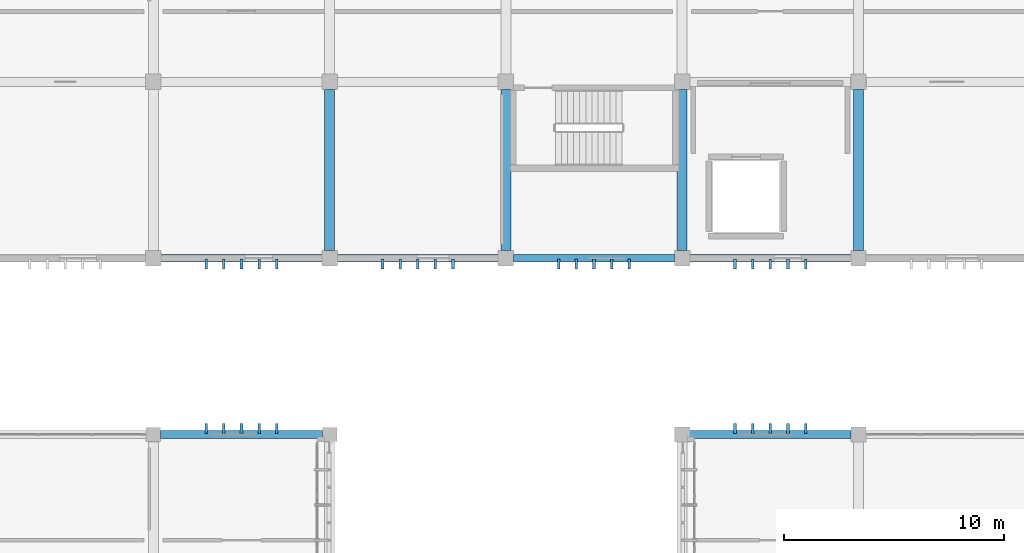
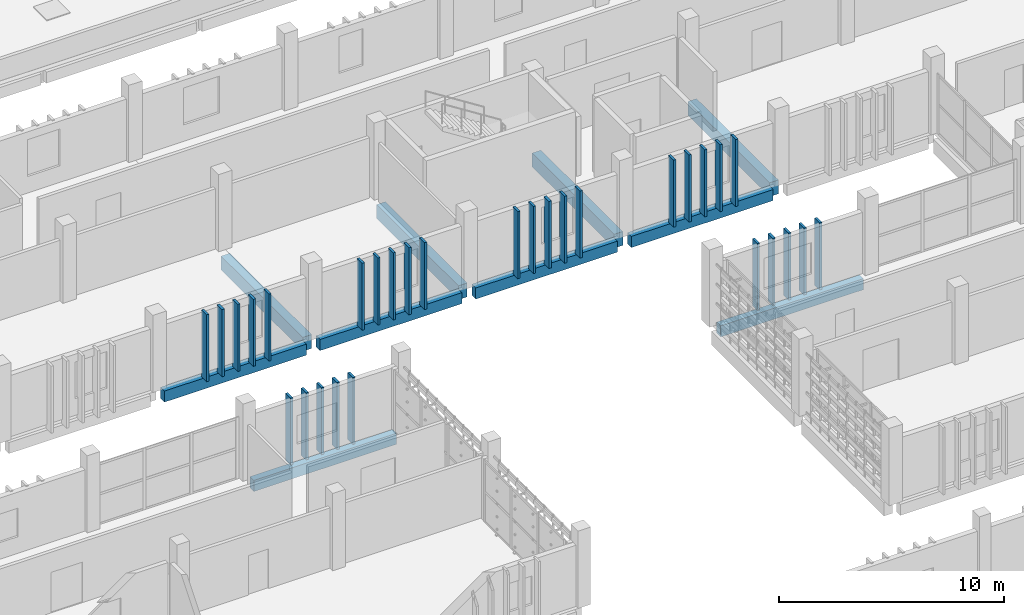
# One storey, part 33 of 137: 30 members, 10 beams.
"""IFC4 building model written with IfcOpenShell, lengths in metres."""

from ifc_helpers import new_model, si_unit, direction, frame, origin, origin_2d, place, context, subcontext, project, spatial, rectangle, extrude, material, material_profile, profile_set, type_object, element, save


model = new_model("IFC4")

# Units and contexts
model_context = context("Model", 3, precision=1e-05, world=origin(), true_north=direction((0.0, 1.0)))
body_context = subcontext(model_context, "Body", "Model", "MODEL_VIEW")
ifc_project = project(units=[si_unit("LENGTHUNIT", "METRE"), si_unit("AREAUNIT", "SQUARE_METRE"), si_unit("VOLUMEUNIT", "CUBIC_METRE"), si_unit("PLANEANGLEUNIT", "RADIAN"), si_unit("MASSUNIT", "GRAM", prefix="KILO")], contexts=[model_context])

# Site, building, storey
site_placement = place(None, origin())
site = spatial("IfcSite", under=ifc_project, at=site_placement, CompositionType="ELEMENT")
building_placement = place(site_placement, origin())
building = spatial("IfcBuilding", under=site, at=building_placement, Name="Jelvoka-Kovrelna Polytechnic", CompositionType="ELEMENT")
storey_placement = place(building_placement, frame((0.0, 0.0, 9.60009765625)))
storey = spatial("IfcBuildingStorey", under=building, at=storey_placement, Name="L03", CompositionType="ELEMENT", Elevation=9.60009765625)

# Beams
ifc_material_1 = material(Name="Concrete C40/50", Category="concrete")
ifc_material_profile_1 = material_profile(ifc_material_1, rectangle(XDim=0.449951171875, YDim=0.75, at=origin_2d()), Name="RC 450x750")
ifc_profile_set_1 = profile_set([ifc_material_profile_1], Name="Concrete C40/50")
beam_type_1 = type_object("IfcBeamType", Name="Beam_RC_450x750", PredefinedType="BEAM", material=ifc_profile_set_1)
for number, where, z_axis, x_axis, name in (
    (1, (112.0, 56.35498046875, -0.64013671875), (0.0, 1.0, 0.0), (-1.0, 0.0, 0.0), "L03 beam 1038"),
    (2, (120.0, 56.35498046875, -0.64013671875), (0.0, 1.0, 0.0), (-1.0, 0.0, 0.0), "L03 beam 1068"),
    (3, (128.0, 56.35498046875, -0.64013671875), (0.0, 1.0, 0.0), (-1.0, 0.0, 0.0), "L03 beam 1070"),
    (4, (136.0, 56.35498046875, -0.64013671875), (0.0, 1.0, 0.0), (-1.0, 0.0, 0.0), "L03 beam 1072"),
):
    element("IfcBeam", number, at=place(storey_placement, frame(where, z_axis=z_axis, x_axis=x_axis)), inside=storey, type_object=beam_type_1, Name=name, PredefinedType="BEAM", context=body_context, shape_type="SweptSolid", body=[
        extrude(rectangle(XDim=0.449951171875, YDim=0.75, at=origin_2d()), origin(), (0.0, 0.0, 1.0), 7.2900390625),
    ])

# Members
ifc_material_2 = material(Name="Precast concrete C40/50", Category="concrete")
ifc_material_profile_2 = material_profile(ifc_material_2, rectangle(XDim=0.1201171875, YDim=0.449951171875, at=origin_2d()), Name="PC 120x450")
ifc_profile_set_2 = profile_set([ifc_material_profile_2], Name="Precast concrete C40/50")
member_type = type_object("IfcMemberType", Name="Louvre_Fin_120x450", PredefinedType="USERDEFINED", material=ifc_profile_set_2)
for number, where, z_axis, x_axis, name in (
    (5, (106.39990234375, 48.264892578125, -0.27001953125), (0.0, 0.0, 1.0), (1.0, 0.0, 0.0), "L03 B2W north vertical solar louvre fin 0696"),
    (6, (107.199951171875, 48.264892578125, -0.27001953125), (0.0, 0.0, 1.0), (1.0, 0.0, 0.0), "L03 B2W north vertical solar louvre fin 0697"),
    (7, (108.0, 48.264892578125, -0.27001953125), (0.0, 0.0, 1.0), (1.0, 0.0, 0.0), "L03 B2W north vertical solar louvre fin 0698"),
    (8, (108.800048828125, 48.264892578125, -0.27001953125), (0.0, 0.0, 1.0), (1.0, 0.0, 0.0), "L03 B2W north vertical solar louvre fin 0699"),
    (9, (109.60009765625, 48.264892578125, -0.27001953125), (0.0, 0.0, 1.0), (1.0, 0.0, 0.0), "L03 B2W north vertical solar louvre fin 0700"),
    (10, (130.39990234375, 48.264892578125, -0.27001953125), (0.0, 0.0, 1.0), (1.0, 0.0, 0.0), "L03 B2E north vertical solar louvre fin 0941"),
    (11, (131.199951171875, 48.264892578125, -0.27001953125), (0.0, 0.0, 1.0), (1.0, 0.0, 0.0), "L03 B2E north vertical solar louvre fin 0942"),
    (12, (132.0, 48.264892578125, -0.27001953125), (0.0, 0.0, 1.0), (1.0, 0.0, 0.0), "L03 B2E north vertical solar louvre fin 0943"),
    (13, (132.800048828125, 48.264892578125, -0.27001953125), (0.0, 0.0, 1.0), (1.0, 0.0, 0.0), "L03 B2E north vertical solar louvre fin 0944"),
    (14, (133.60009765625, 48.264892578125, -0.27001953125), (0.0, 0.0, 1.0), (1.0, 0.0, 0.0), "L03 B2E north vertical solar louvre fin 0945"),
    (15, (106.39990234375, 55.735107421875, -0.27001953125), (0.0, 0.0, 1.0), (1.0, 0.0, 0.0), "L03 B3 south vertical solar louvre fin 1516"),
    (16, (107.199951171875, 55.735107421875, -0.27001953125), (0.0, 0.0, 1.0), (1.0, 0.0, 0.0), "L03 B3 south vertical solar louvre fin 1517"),
    (17, (108.0, 55.735107421875, -0.27001953125), (0.0, 0.0, 1.0), (1.0, 0.0, 0.0), "L03 B3 south vertical solar louvre fin 1518"),
    (18, (108.800048828125, 55.735107421875, -0.27001953125), (0.0, 0.0, 1.0), (1.0, 0.0, 0.0), "L03 B3 south vertical solar louvre fin 1519"),
    (19, (109.60009765625, 55.735107421875, -0.27001953125), (0.0, 0.0, 1.0), (1.0, 0.0, 0.0), "L03 B3 south vertical solar louvre fin 1520"),
    (20, (114.39990234375, 55.735107421875, -0.27001953125), (0.0, 0.0, 1.0), (1.0, 0.0, 0.0), "L03 B3 south vertical solar louvre fin 1526"),
    (21, (115.199951171875, 55.735107421875, -0.27001953125), (0.0, 0.0, 1.0), (1.0, 0.0, 0.0), "L03 B3 south vertical solar louvre fin 1527"),
    (22, (116.0, 55.735107421875, -0.27001953125), (0.0, 0.0, 1.0), (1.0, 0.0, 0.0), "L03 B3 south vertical solar louvre fin 1528"),
    (23, (116.800048828125, 55.735107421875, -0.27001953125), (0.0, 0.0, 1.0), (1.0, 0.0, 0.0), "L03 B3 south vertical solar louvre fin 1529"),
    (24, (117.60009765625, 55.735107421875, -0.27001953125), (0.0, 0.0, 1.0), (1.0, 0.0, 0.0), "L03 B3 south vertical solar louvre fin 1530"),
    (25, (122.39990234375, 55.735107421875, -0.27001953125), (0.0, 0.0, 1.0), (1.0, 0.0, 0.0), "L03 B3 south vertical solar louvre fin 1536"),
    (26, (123.199951171875, 55.735107421875, -0.27001953125), (0.0, 0.0, 1.0), (1.0, 0.0, 0.0), "L03 B3 south vertical solar louvre fin 1537"),
    (27, (124.0, 55.735107421875, -0.27001953125), (0.0, 0.0, 1.0), (1.0, 0.0, 0.0), "L03 B3 south vertical solar louvre fin 1538"),
    (28, (124.800048828125, 55.735107421875, -0.27001953125), (0.0, 0.0, 1.0), (1.0, 0.0, 0.0), "L03 B3 south vertical solar louvre fin 1539"),
    (29, (125.60009765625, 55.735107421875, -0.27001953125), (0.0, 0.0, 1.0), (1.0, 0.0, 0.0), "L03 B3 south vertical solar louvre fin 1540"),
    (30, (130.39990234375, 55.735107421875, -0.27001953125), (0.0, 0.0, 1.0), (1.0, 0.0, 0.0), "L03 B3 south vertical solar louvre fin 1546"),
    (31, (131.199951171875, 55.735107421875, -0.27001953125), (0.0, 0.0, 1.0), (1.0, 0.0, 0.0), "L03 B3 south vertical solar louvre fin 1547"),
    (32, (132.0, 55.735107421875, -0.27001953125), (0.0, 0.0, 1.0), (1.0, 0.0, 0.0), "L03 B3 south vertical solar louvre fin 1548"),
    (33, (132.800048828125, 55.735107421875, -0.27001953125), (0.0, 0.0, 1.0), (1.0, 0.0, 0.0), "L03 B3 south vertical solar louvre fin 1549"),
    (34, (133.60009765625, 55.735107421875, -0.27001953125), (0.0, 0.0, 1.0), (1.0, 0.0, 0.0), "L03 B3 south vertical solar louvre fin 1550"),
):
    element("IfcMember", number, at=place(storey_placement, frame(where, z_axis=z_axis, x_axis=x_axis)), inside=storey, type_object=member_type, Name=name, ObjectType="SUNSHADE", PredefinedType="USERDEFINED", context=body_context, shape_type="SweptSolid", body=[
        extrude(rectangle(XDim=0.1201171875, YDim=0.449951171875, at=origin_2d()), origin(), (0.0, 0.0, 1.0), 3.64501953125),
    ])

# Beams
ifc_material_3 = material(Name="Concrete C40/50", Category="concrete")
ifc_material_profile_3 = material_profile(ifc_material_3, rectangle(XDim=0.35009765625, YDim=0.60009765625, at=origin_2d()), Name="RC 350x600")
ifc_profile_set_3 = profile_set([ifc_material_profile_3], Name="Concrete C40/50")
beam_type_2 = type_object("IfcBeamType", Name="Spandrel_RC_350x600", PredefinedType="SPANDREL", material=ifc_profile_set_3)
for number, where, z_axis, x_axis, name in (
    (35, (104.330078125, 48.0, -0.565185546875), (1.0, 0.0, 0.0), (0.0, 1.0, 0.0), "L03 beam 0946"),
    (36, (128.330078125, 48.0, -0.565185546875), (1.0, 0.0, 0.0), (0.0, 1.0, 0.0), "L03 beam 0975"),
):
    element("IfcBeam", number, at=place(storey_placement, frame(where, z_axis=z_axis, x_axis=x_axis)), inside=storey, type_object=beam_type_2, Name=name, PredefinedType="SPANDREL", context=body_context, shape_type="SweptSolid", body=[
        extrude(rectangle(XDim=0.35009765625, YDim=0.60009765625, at=origin_2d()), origin(), (0.0, 0.0, 1.0), 7.33984375),
    ])
for number, where, z_axis, x_axis, name in (
    (37, (104.35498046875, 56.0, -0.565185546875), (1.0, 0.0, 0.0), (0.0, 1.0, 0.0), "L03 beam 1010"),
    (38, (112.35498046875, 56.0, -0.565185546875), (1.0, 0.0, 0.0), (0.0, 1.0, 0.0), "L03 beam 1040"),
    (39, (120.35498046875, 56.0, -0.565185546875), (1.0, 0.0, 0.0), (0.0, 1.0, 0.0), "L03 beam 1041"),
    (40, (128.35498046875, 56.0, -0.565185546875), (1.0, 0.0, 0.0), (0.0, 1.0, 0.0), "L03 beam 1042"),
):
    element("IfcBeam", number, at=place(storey_placement, frame(where, z_axis=z_axis, x_axis=x_axis)), inside=storey, type_object=beam_type_2, Name=name, PredefinedType="SPANDREL", context=body_context, shape_type="SweptSolid", body=[
        extrude(rectangle(XDim=0.35009765625, YDim=0.60009765625, at=origin_2d()), origin(), (0.0, 0.0, 1.0), 7.2900390625),
    ])

save(model, "model.ifc")
